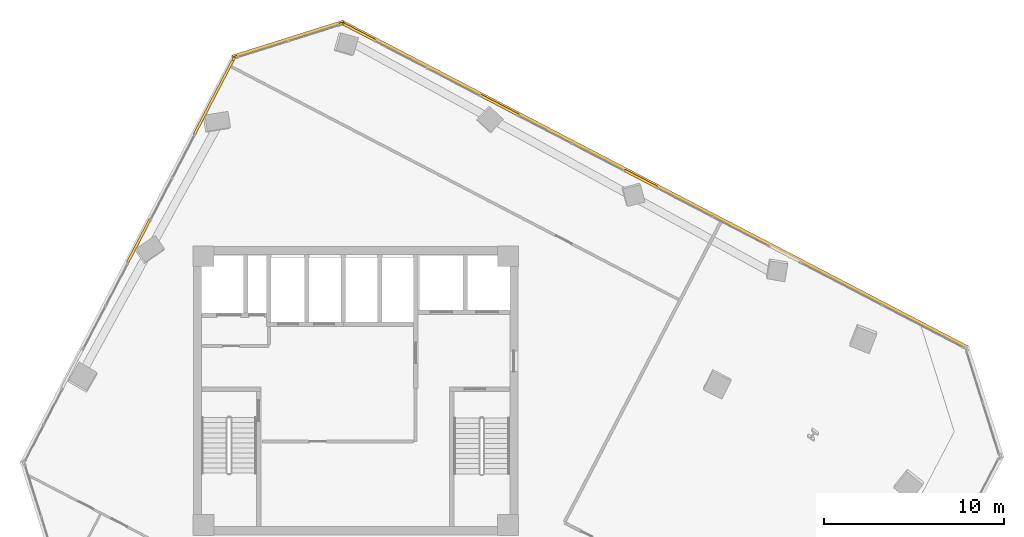
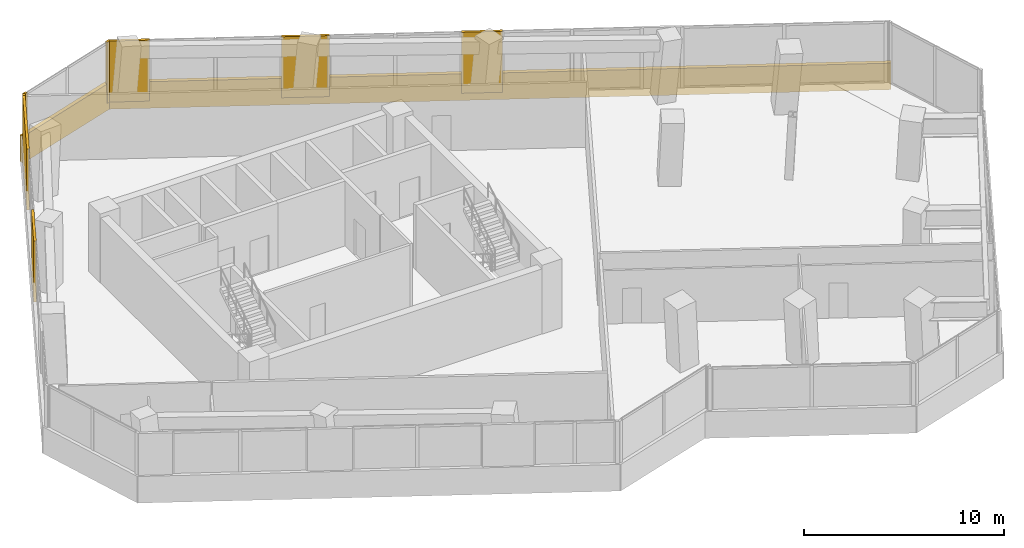
# One storey, part 22 of 22: 10 coverings.
"""IFC4 building model written with IfcOpenShell, lengths in metres."""

import ifcopenshell
import ifcopenshell.guid

model = None  # the IFC model being written
_history = None  # IfcOwnerHistory: only IFC2X3 demands one
_inside = {}  # id of a spatial element -> (the spatial element, [elements in it])
_under = {}  # id of a project, library or spatial element -> (it, [spatial elements below it])
_declared = {}  # id of a project -> (the project, [libraries it declares])
_typed = {}  # id of a type object -> (the type object, [elements of that type])
_made_of = {}  # id of a material, layer set ... -> (it, [elements and type objects made of it])


def new_model(schema):
    """Start an empty IFC model of exactly this schema.

    Asked for "IFC4X3", IfcOpenShell would pick the latest addendum, in which some entities
    have other attributes; the version numbers below select the first issue.
    IFC2X3 requires an IfcOwnerHistory on every rooted entity: one is made here for all.
    """
    global model, _history
    if schema == "IFC4X3":
        model = ifcopenshell.file(schema_version=(4, 3, 0, 0))
    else:
        model = ifcopenshell.file(schema=schema)
    _inside.clear()
    _under.clear()
    _declared.clear()
    _typed.clear()
    _made_of.clear()
    _history = None
    if model.schema == "IFC2X3":
        org = make("IfcOrganization", Name="unknown")
        user = make(
            "IfcPersonAndOrganization",
            ThePerson=make("IfcPerson", FamilyName="unknown"),
            TheOrganization=org,
        )
        app = make(
            "IfcApplication",
            ApplicationDeveloper=org,
            Version="unknown",
            ApplicationFullName="unknown",
            ApplicationIdentifier="unknown",
        )
        _history = make(
            "IfcOwnerHistory",
            OwningUser=user,
            OwningApplication=app,
            ChangeAction="ADDED",
            CreationDate=0,
        )
    return model


def make(cls, **values):
    """One entity of the class cls with the attributes given. An attribute that is None is left unset."""
    return model.create_entity(
        cls, **{name: value for name, value in values.items() if value is not None}
    )


def rooted(cls, **values):
    """An entity with a GlobalId (a new one), such as an element, a storey or a relation."""
    return make(cls, GlobalId=ifcopenshell.guid.new(), OwnerHistory=_history, **values)


def si_unit(unit_type, name, prefix=None):
    """IfcSIUnit, for example si_unit("LENGTHUNIT", "METRE", prefix="MILLI")."""
    return make("IfcSIUnit", UnitType=unit_type, Prefix=prefix, Name=name)


def assignment(units):
    """IfcUnitAssignment: the units of a project."""
    return None if units is None else make("IfcUnitAssignment", Units=units)


def point(xyz):
    """IfcCartesianPoint."""
    return None if xyz is None else make("IfcCartesianPoint", Coordinates=xyz)


def direction(xyz):
    """IfcDirection."""
    return None if xyz is None else make("IfcDirection", DirectionRatios=xyz)


def frame(location, z_axis=None, x_axis=None):
    """IfcAxis2Placement3D, a coordinate frame: its origin and axes. An axis left out is left unset."""
    return make(
        "IfcAxis2Placement3D",
        Location=point(location),
        Axis=direction(z_axis),
        RefDirection=direction(x_axis),
    )


def frame_2d(location, x_axis=None):
    """IfcAxis2Placement2D, a coordinate frame in the plane: its origin and x axis."""
    return make(
        "IfcAxis2Placement2D", Location=point(location), RefDirection=direction(x_axis)
    )


def origin():
    """The frame at (0, 0, 0) with its axes left unset."""
    return frame((0.0, 0.0, 0.0))


def origin_2d():
    """The frame at (0, 0) in the plane with its x axis left unset."""
    return frame_2d((0.0, 0.0))


def place(relative_to, where):
    """IfcLocalPlacement: puts the frame where relative to a parent placement (None: the world)."""
    return make(
        "IfcLocalPlacement", PlacementRelTo=relative_to, RelativePlacement=where
    )


def context(
    kind, dimensions, precision=None, world=None, true_north=None, identifier=None
):
    """IfcGeometricRepresentationContext, for example the 3D "Model" context."""
    return make(
        "IfcGeometricRepresentationContext",
        ContextIdentifier=identifier,
        ContextType=kind,
        CoordinateSpaceDimension=dimensions,
        Precision=precision,
        WorldCoordinateSystem=world,
        TrueNorth=true_north,
    )


def subcontext(parent, identifier, kind, view, scale=None):
    """IfcGeometricRepresentationSubContext, for example "Body" below "Model"."""
    return make(
        "IfcGeometricRepresentationSubContext",
        ContextIdentifier=identifier,
        ContextType=kind,
        ParentContext=parent,
        TargetScale=scale,
        TargetView=view,
    )


def project(units=None, contexts=None):
    """IfcProject with its units and contexts."""
    return rooted(
        "IfcProject",
        Name="project",
        RepresentationContexts=contexts,
        UnitsInContext=assignment(units),
    )


def spatial(cls, under=None, at=None, **own):
    """A site, building, storey or space (cls), placed at a placement, below another one or the project."""
    s = rooted(cls, ObjectPlacement=at, **own)
    if under is not None:
        _under.setdefault(under.id(), (under, []))[1].append(s)
    return s


def profile(cls, at=None, kind="AREA", **sizes):
    """A parametric profile (cls). Its sizes go by their IFC names, for example OverallWidth=200.0."""
    return make(cls, ProfileType=kind, Position=at, **sizes)


def rectangle(**sizes):
    """IfcRectangleProfileDef."""
    return profile("IfcRectangleProfileDef", **sizes)


def extrude(swept, where, along, depth):
    """IfcExtrudedAreaSolid: the profile swept, set in the frame where, extruded along a direction by depth."""
    return make(
        "IfcExtrudedAreaSolid",
        SweptArea=swept,
        Position=where,
        ExtrudedDirection=direction(along),
        Depth=depth,
    )


def shape(context_of_items, identifier, shape_type, items):
    """IfcShapeRepresentation: the items that make up one representation, for example the "Body"."""
    return make(
        "IfcShapeRepresentation",
        ContextOfItems=context_of_items,
        RepresentationIdentifier=identifier,
        RepresentationType=shape_type,
        Items=items,
    )


def source(mapping_origin, context_of_items, identifier, shape_type, items):
    """IfcRepresentationMap: a shape defined once, which mapped items show again and again."""
    return make(
        "IfcRepresentationMap",
        MappingOrigin=mapping_origin,
        MappedRepresentation=shape(context_of_items, identifier, shape_type, items),
    )


def transform(
    local_origin,
    x_axis=None,
    y_axis=None,
    z_axis=None,
    scale=None,
    scale2=None,
    scale3=None,
    uniform=True,
):
    """IfcCartesianTransformationOperator3D, or its non-uniform kind. x_axis, y_axis, z_axis: its Axis1, 2, 3."""
    if uniform:
        return make(
            "IfcCartesianTransformationOperator3D",
            Axis1=direction(x_axis),
            Axis2=direction(y_axis),
            LocalOrigin=point(local_origin),
            Scale=scale,
            Axis3=direction(z_axis),
        )
    return make(
        "IfcCartesianTransformationOperator3DnonUniform",
        Axis1=direction(x_axis),
        Axis2=direction(y_axis),
        LocalOrigin=point(local_origin),
        Scale=scale,
        Axis3=direction(z_axis),
        Scale2=scale2,
        Scale3=scale3,
    )


def mapped(mapping_source, mapping_target):
    """IfcMappedItem: shows the shape of a source again, moved by a transform."""
    return make(
        "IfcMappedItem", MappingSource=mapping_source, MappingTarget=mapping_target
    )


def material(Name=None, Category=None):
    """IfcMaterial."""
    return make("IfcMaterial", Name=Name, Category=Category)


def layer(
    of_material, thickness, ventilated=None, Name=None, Category=None, Priority=None
):
    """IfcMaterialLayer: one layer of a wall or slab, of a material (None: an air gap)."""
    return make(
        "IfcMaterialLayer",
        Material=of_material,
        LayerThickness=thickness,
        IsVentilated=ventilated,
        Name=Name,
        Category=Category,
        Priority=Priority,
    )


def layer_set(layers, Name=None):
    """IfcMaterialLayerSet."""
    return make("IfcMaterialLayerSet", MaterialLayers=layers, LayerSetName=Name)


def made_of(thing, what):
    """Note that an element or type object is made of a material, layer set ...; save() writes the relation."""
    if what is not None:
        _made_of.setdefault(what.id(), (what, []))[1].append(thing)
    return thing


def type_object(cls, material=None, **own):
    """A type object (cls), such as IfcWallType, which elements share."""
    return made_of(rooted(cls, **own), material)


def element(
    cls,
    number,
    at=None,
    inside=None,
    cuts=None,
    type_object=None,
    material=None,
    context=None,
    identifier="Body",
    shape_type=None,
    held_by="IfcProductDefinitionShape",
    body=None,
    shapes=None,
    **own,
):
    """One element of the class cls, such as IfcWall. Its Tag is "e" and its number.

    at: its placement. inside: the storey or other place that contains it. cuts: it is an
    opening in that element (IfcRelVoidsElement). A single representation is given by context,
    identifier, shape_type and body (its items); several are given by shapes. held_by: the class
    of the entity that holds the representations. save() writes the other relations.
    """
    e = rooted(cls, Tag="e%d" % number, ObjectPlacement=at, **own)
    if body is not None:
        shapes = [shape(context, identifier, shape_type, body)]
    if shapes is not None:
        e.Representation = make(held_by, Representations=shapes)
    if inside is not None:
        _inside.setdefault(inside.id(), (inside, []))[1].append(e)
    if cuts is not None:
        rooted(
            "IfcRelVoidsElement", RelatingBuildingElement=cuts, RelatedOpeningElement=e
        )
    if type_object is not None:
        _typed.setdefault(type_object.id(), (type_object, []))[1].append(e)
    return made_of(e, material)


def aggregate(whole, parts):
    """IfcRelAggregates: a whole, such as a stair, and the parts it consists of."""
    return rooted("IfcRelAggregates", RelatingObject=whole, RelatedObjects=parts)


def save(model, path):
    """Write the relations noted so far, then the file.

    IfcRelAggregates (storeys below a building ...), IfcRelContainedInSpatialStructure (elements
    in a storey), IfcRelDefinesByType, IfcRelAssociatesMaterial and IfcRelDeclares: one each for
    every whole, place, type object, material and project.
    """
    for whole, parts in _under.values():
        aggregate(whole, parts)
    for where, things in _inside.values():
        rooted(
            "IfcRelContainedInSpatialStructure",
            RelatedElements=things,
            RelatingStructure=where,
        )
    for kind, things in _typed.values():
        rooted("IfcRelDefinesByType", RelatedObjects=things, RelatingType=kind)
    for what, things in _made_of.values():
        rooted("IfcRelAssociatesMaterial", RelatedObjects=things, RelatingMaterial=what)
    for by, libraries in _declared.values():
        rooted("IfcRelDeclares", RelatingContext=by, RelatedDefinitions=libraries)
    model.write(path)


model = new_model("IFC4")

# Units and contexts
model_context = context("Model", 3, precision=1e-05, world=origin(), true_north=direction((0.0, 1.0)))
body_context = subcontext(model_context, "Body", "Model", "MODEL_VIEW")
ifc_project = project(units=[si_unit("LENGTHUNIT", "METRE"), si_unit("AREAUNIT", "SQUARE_METRE"), si_unit("VOLUMEUNIT", "CUBIC_METRE"), si_unit("PLANEANGLEUNIT", "RADIAN"), si_unit("MASSUNIT", "GRAM", prefix="KILO")], contexts=[model_context])

# Site, building, storey
site_placement = place(None, origin())
site = spatial("IfcSite", under=ifc_project, at=site_placement, CompositionType="ELEMENT")
building_placement = place(site_placement, origin())
building = spatial("IfcBuilding", under=site, at=building_placement, Name="Torre Montelarca", CompositionType="ELEMENT")
storey_placement = place(building_placement, frame((0.0, 0.0, 170.800048828125)))
storey = spatial("IfcBuildingStorey", under=building, at=storey_placement, Name="L38", CompositionType="ELEMENT", Elevation=170.800048828125)

# Coverings
ifc_material = material(Name="Bush-hammered warm white precast concrete C45/55", Category="concrete")
ifc_layer = layer(ifc_material, 0.139892578125, Name="Bush-hammered warm white precast concrete C45/55", Category="concrete")
ifc_layer_set = layer_set([ifc_layer], Name="Bush-hammered warm white precast concrete C45/55")
covering_type = type_object("IfcCoveringType", Name="COV-TRAY-CLAD", PredefinedType="CLADDING", material=ifc_layer_set)
shared_shape_1 = source(origin(), body_context, "Body", "SweptSolid", [
    extrude(rectangle(XDim=6.48388671875, YDim=0.219970703125, at=origin_2d()), origin(), (0.0, 0.0, 1.0), 1.6201171875),
])
covering_1_placement = place(storey_placement, frame((14.24609375, 51.479248046875, -0.4501953125), z_axis=(0.0, 0.0, 1.0), x_axis=(-0.953715901081, -0.300709128603, 0.0)))
element("IfcCovering", 1, at=covering_1_placement, inside=storey, type_object=covering_type, Name="L38 Architectural White Spandrel Tray Band TRYBOT-09", PredefinedType="CLADDING", context=body_context, shape_type="MappedRepresentation", body=[
    mapped(shared_shape_1, transform((0.0, 0.0, 0.0), scale=1.0)),
])
shared_shape_2 = source(origin(), body_context, "Body", "SweptSolid", [
    extrude(rectangle(XDim=0.199951171875, YDim=0.139892578125, at=origin_2d()), origin(), (0.0, 0.0, 1.0), 3.719970703125),
])
for number, where, z_axis, x_axis, name in (
    (2, (17.1884765625, 52.343994140625, 0.0), (0.0, 0.0, 1.0), (-0.953716950748, -0.300705799504, 0.0), "L38 Architectural Column Pier Cladding E09-1"),
    (3, (11.33984375, 50.5, 0.0), (0.0, 0.0, 1.0), (-0.953716950748, -0.300705799504, 0.0), "L38 Architectural Column Pier Cladding E09-2"),
    (4, (11.228759765625, 50.40673828125, 0.0), (0.0, 0.0, 1.0), (-0.46174551698, -0.88701244498, 0.0), "L38 Architectural Column Pier Cladding E10-1"),
):
    element("IfcCovering", number, at=place(storey_placement, frame(where, z_axis=z_axis, x_axis=x_axis)), inside=storey, type_object=covering_type, Name=name, PredefinedType="CLADDING", context=body_context, shape_type="MappedRepresentation", body=[
        mapped(shared_shape_2, transform((0.0, 0.0, 0.0), scale=1.0)),
    ])
shared_shape_3 = source(origin(), body_context, "Body", "SweptSolid", [
    extrude(rectangle(XDim=4.76416015625, YDim=0.139892578125, at=origin_2d()), origin(), (0.0, 0.0, 1.0), 3.719970703125),
])
covering_2_placement = place(storey_placement, frame((10.12890625, 48.293701171875, 0.0), z_axis=(0.0, 0.0, 1.0), x_axis=(-0.46174551698, -0.88701244498, 0.0)))
element("IfcCovering", 5, at=covering_2_placement, inside=storey, type_object=covering_type, Name="L38 Architectural Column Pier Cladding E10-2", PredefinedType="CLADDING", context=body_context, shape_type="MappedRepresentation", body=[
    mapped(shared_shape_3, transform((0.0, 0.0, 0.0), scale=1.0)),
])
shared_shape_4 = source(origin(), body_context, "Body", "SweptSolid", [
    extrude(rectangle(XDim=2.7275390625, YDim=0.139892578125, at=origin_2d()), origin(), (0.0, 0.0, 1.0), 3.719970703125),
])
covering_3_placement = place(storey_placement, frame((5.964599609375, 40.29443359375, 0.0), z_axis=(0.0, 0.0, 1.0), x_axis=(-0.46174551698, -0.88701244498, 0.0)))
element("IfcCovering", 6, at=covering_3_placement, inside=storey, type_object=covering_type, Name="L38 Architectural Column Pier Cladding E10-3", PredefinedType="CLADDING", context=body_context, shape_type="MappedRepresentation", body=[
    mapped(shared_shape_4, transform((0.0, 0.0, 0.0), scale=1.0)),
])
shared_shape_5 = source(origin(), body_context, "Body", "SweptSolid", [
    extrude(rectangle(XDim=39.219970703125, YDim=0.219970703125, at=origin_2d()), origin(), (0.0, 0.0, 1.0), 1.6201171875),
])
covering_4_placement = place(storey_placement, frame((34.59912109375, 43.410888671875, -0.4501953125), z_axis=(0.0, 0.0, 1.0), x_axis=(-0.887010027274, 0.46175016136, 0.0)))
element("IfcCovering", 7, at=covering_4_placement, inside=storey, type_object=covering_type, Name="L38 Architectural White Spandrel Tray Band TRYBOT-08", PredefinedType="CLADDING", context=body_context, shape_type="MappedRepresentation", body=[
    mapped(shared_shape_5, transform((0.0, 0.0, 0.0), scale=1.0)),
])
shared_shape_6 = source(origin(), body_context, "Body", "SweptSolid", [
    extrude(rectangle(XDim=2.06005859375, YDim=0.139892578125, at=origin_2d()), origin(), (0.0, 0.0, 1.0), 3.719970703125),
])
covering_5_placement = place(storey_placement, frame((33.8173828125, 43.75, 0.0), z_axis=(0.0, 0.0, 1.0), x_axis=(-0.887010833178, 0.461748613235, 0.0)))
element("IfcCovering", 8, at=covering_5_placement, inside=storey, type_object=covering_type, Name="L38 Architectural Column Pier Cladding E08-3", PredefinedType="CLADDING", context=body_context, shape_type="MappedRepresentation", body=[
    mapped(shared_shape_6, transform((0.0, 0.0, 0.0), scale=1.0)),
])
shared_shape_7 = source(origin(), body_context, "Body", "SweptSolid", [
    extrude(rectangle(XDim=2.39111328125, YDim=0.139892578125, at=origin_2d()), origin(), (0.0, 0.0, 1.0), 3.719970703125),
])
covering_6_placement = place(storey_placement, frame((25.981201171875, 47.829345703125, 0.0), z_axis=(0.0, 0.0, 1.0), x_axis=(-0.887010833178, 0.461748613235, 0.0)))
element("IfcCovering", 9, at=covering_6_placement, inside=storey, type_object=covering_type, Name="L38 Architectural Column Pier Cladding E08-4", PredefinedType="CLADDING", context=body_context, shape_type="MappedRepresentation", body=[
    mapped(shared_shape_7, transform((0.0, 0.0, 0.0), scale=1.0)),
])
shared_shape_8 = source(origin(), body_context, "Body", "SweptSolid", [
    extrude(rectangle(XDim=2.047607421875, YDim=0.139892578125, at=origin_2d()), origin(), (0.0, 0.0, 1.0), 3.719970703125),
])
covering_7_placement = place(storey_placement, frame((18.15234375, 51.90478515625, 0.0), z_axis=(0.0, 0.0, 1.0), x_axis=(-0.887010833178, 0.461748613235, 0.0)))
element("IfcCovering", 10, at=covering_7_placement, inside=storey, type_object=covering_type, Name="L38 Architectural Column Pier Cladding E08-5", PredefinedType="CLADDING", context=body_context, shape_type="MappedRepresentation", body=[
    mapped(shared_shape_8, transform((0.0, 0.0, 0.0), scale=1.0)),
])

save(model, "model.ifc")
